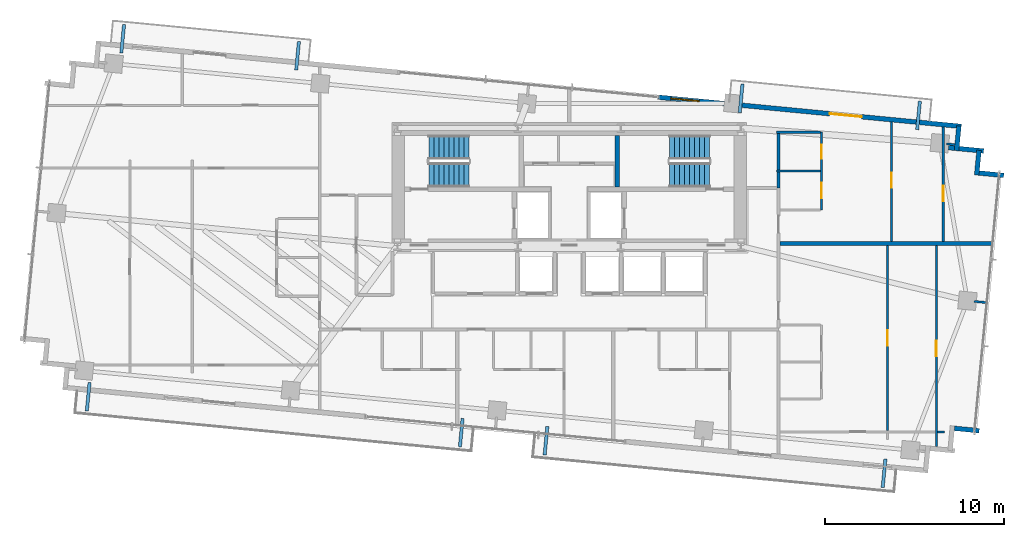
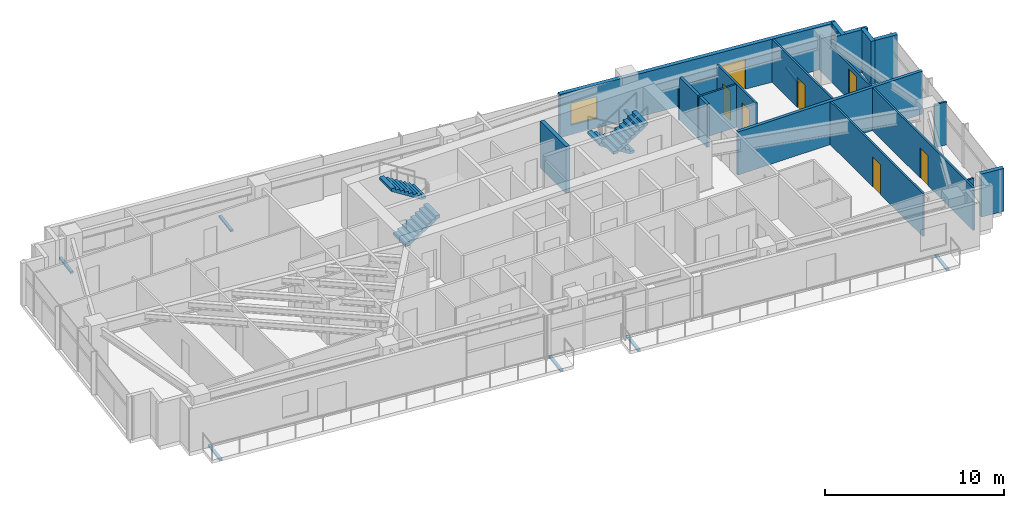
# One storey, part 17 of 19: 20 walls, 8 discrete accessories, 7 doors, 4 stair flights, 1 window, 8 openings, 2 elements without a shape of their own.
"""IFC4 building model written with IfcOpenShell, lengths in metres."""

from ifc_helpers import new_model, si_unit, direction, frame, frame_2d, origin, origin_2d, place, context, subcontext, project, spatial, polyline, rectangle, outline, extrude, source, transform, mapped, material, layer, layer_set, type_object, type_shapes, element, fill, aggregate, save


model = new_model("IFC4")

# Units and contexts
model_context = context("Model", 3, precision=1e-05, world=origin(), true_north=direction((0.0, 1.0)))
body_context = subcontext(model_context, "Body", "Model", "MODEL_VIEW")
ifc_project = project(units=[si_unit("LENGTHUNIT", "METRE"), si_unit("AREAUNIT", "SQUARE_METRE"), si_unit("VOLUMEUNIT", "CUBIC_METRE"), si_unit("PLANEANGLEUNIT", "RADIAN"), si_unit("MASSUNIT", "GRAM", prefix="KILO")], contexts=[model_context])

# Site, building, storey
site_placement = place(None, origin())
site = spatial("IfcSite", under=ifc_project, at=site_placement, CompositionType="ELEMENT")
building_placement = place(site_placement, origin())
building = spatial("IfcBuilding", under=site, at=building_placement, Name="Astriad Promenade Condominiums", CompositionType="ELEMENT")
storey_placement = place(building_placement, frame((0.0, 0.0, 140.60009765625)))
storey = spatial("IfcBuildingStorey", under=building, at=storey_placement, Name="L40", CompositionType="ELEMENT", Elevation=140.60009765625)

# Walls
ifc_material_1 = material(Name="Concrete C50/60", Category="concrete")
ifc_layer_1 = layer(ifc_material_1, 0.25)
ifc_layer_set_1 = layer_set([ifc_layer_1], Name="Concrete C50/60")
wall_type_1 = type_object("IfcWallType", Name="WALL-CORE-INT-250", PredefinedType="SOLIDWALL", material=ifc_layer_set_1)
wall_1_placement = place(storey_placement, frame((38.675048828125, 20.701904296875, 0.0), z_axis=(0.0, 0.0, 1.0), x_axis=(0.0, 1.0, 0.0)))
element("IfcWall", 1, at=wall_1_placement, inside=storey, type_object=wall_type_1, Name="CW-ST2-W-L40", PredefinedType="SOLIDWALL", context=body_context, shape_type="SweptSolid", body=[
    extrude(rectangle(XDim=2.89599609375, YDim=0.25, at=frame_2d((1.447998046875, 0.0))), origin(), (0.0, 0.0, 1.0), 3.199951171875),
])
ifc_material_2 = material(Name="Fire-Rated Gypsum Partition")
ifc_layer_2 = layer(ifc_material_2, 0.159912109375)
ifc_layer_set_2 = layer_set([ifc_layer_2], Name="Fire-Rated Gypsum Partition")
wall_type_2 = type_object("IfcWallType", Name="WALL-CORR-160", PredefinedType="PARTITIONING", material=ifc_layer_set_2)
wall_2_placement = place(storey_placement, frame((47.699951171875, 20.64990234375, 0.0), z_axis=(0.0, 0.0, 1.0), x_axis=(0.0, 1.0, 0.0)))
element("IfcWall", 2, at=wall_2_placement, inside=storey, type_object=wall_type_2, Name="PT-L40-E2-PBK", PredefinedType="PARTITIONING", context=body_context, shape_type="SweptSolid", body=[
    extrude(rectangle(XDim=0.883056640625, YDim=0.159912109375, at=frame_2d((0.44140625, 0.0))), origin(), (0.0, 0.0, 1.0), 2.93994140625),
])
wall_3_placement = place(storey_placement, frame((47.699951171875, 21.656982421875, 0.0), z_axis=(0.0, 0.0, 1.0), x_axis=(0.0, 1.0, 0.0)))
element("IfcWall", 3, at=wall_3_placement, inside=storey, type_object=wall_type_2, Name="PT-L40-E2-PBK-S2", PredefinedType="PARTITIONING", context=body_context, shape_type="SweptSolid", body=[
    extrude(rectangle(XDim=2.051025390625, YDim=0.159912109375, at=frame_2d((1.025390625, 0.0))), origin(), (0.0, 0.0, 1.0), 2.93994140625),
])
ifc_material_3 = material(Name="Acoustic Double-Stud Gypsum Partition")
ifc_layer_3 = layer(ifc_material_3, 0.199951171875)
ifc_layer_set_3 = layer_set([ifc_layer_3], Name="Acoustic Double-Stud Gypsum Partition")
wall_type_3 = type_object("IfcWallType", Name="WALL-DEMISING-200", PredefinedType="PARTITIONING", material=ifc_layer_set_3)
wall_4_placement = place(storey_placement, frame((47.781982421875, 17.550048828125, 0.0), z_axis=(0.0, 0.0, 1.0), x_axis=(1.0, 0.0, 0.0)))
element("IfcWall", 4, at=wall_4_placement, inside=storey, type_object=wall_type_3, Name="PT-DEM-EE-L40", PredefinedType="PARTITIONING", context=body_context, shape_type="SweptSolid", body=[
    extrude(rectangle(XDim=11.933837890625, YDim=0.199951171875, at=frame_2d((5.966796875, 0.0))), origin(), (0.0, 0.0, 1.0), 2.93994140625),
])

# Wall, openings, door, window
ifc_material_4 = material(Name="Precast concrete C50/60", Category="concrete")
ifc_layer_4 = layer(ifc_material_4, 0.260009765625)
ifc_layer_set_4 = layer_set([ifc_layer_4], Name="Precast concrete C50/60")
wall_type_4 = type_object("IfcWallType", Name="WALL-EXT-TWR-260", PredefinedType="STANDARD", material=ifc_layer_set_4)
wall_5_placement = place(storey_placement, frame((40.9833984375, 25.726806640625, 0.0), z_axis=(0.0, 0.0, 1.0), x_axis=(0.995395844771, -0.095849424686, 0.0)))
wall_5 = element("IfcWall", 5, at=wall_5_placement, inside=storey, type_object=wall_type_4, Name="W-EXT-L40-N2", PredefinedType="STANDARD", context=body_context, shape_type="SweptSolid", body=[
    extrude(rectangle(XDim=17.009765625, YDim=0.260009765625, at=frame_2d((8.5048828125, 0.0))), origin(), (0.0, 0.0, 1.0), 2.93994140625),
])
opening_1_placement = place(wall_5_placement, frame((9.6201171875, 0.0, 0.0)))
opening_1 = element("IfcOpeningElement", 6, at=opening_1_placement, cuts=wall_5, Name="Opening BD-1822-SLD", PredefinedType="OPENING", context=body_context, shape_type="SweptSolid", body=[
    extrude(rectangle(XDim=1.800048828125, YDim=2.06005859375, at=frame_2d((0.89990234375, 1.030029296875))), frame((0.0, 0.139892578125, 0.0), z_axis=(0.0, -1.0, 0.0), x_axis=(1.0, 0.0, 0.0)), (0.0, 0.0, 1.0), 0.280029296875),
])
opening_2_placement = place(wall_5_placement, frame((0.699951171875, 0.0, 0.64990234375)))
opening_2 = element("IfcOpeningElement", 7, at=opening_2_placement, cuts=wall_5, Name="Opening WIN-TWR-1620", PredefinedType="OPENING", context=body_context, shape_type="SweptSolid", body=[
    extrude(rectangle(XDim=1.60009765625, YDim=1.5, at=frame_2d((0.800048828125, 0.75))), frame((0.0, 0.139892578125, 0.0), z_axis=(0.0, -1.0, 0.0), x_axis=(1.0, 0.0, 0.0)), (0.0, 0.0, 1.0), 0.280029296875),
])
ifc_material_5 = material(Name="Thermally Broken Aluminium Sliding Balcony Door", Category="aluminium")
door_type_1 = type_object("IfcDoorType", Name="BD-1822-SLD", OperationType="NOTDEFINED", PredefinedType="DOOR", material=ifc_material_5)
shared_shape_1 = source(origin(), body_context, "Body", "SweptSolid", [
    extrude(rectangle(XDim=1.800048828125, YDim=2.06005859375, at=frame_2d((0.89990234375, 1.030029296875))), frame((0.0, 0.02490234375, 0.0), z_axis=(0.0, -1.0, 0.0), x_axis=(1.0, 0.0, 0.0)), (0.0, 0.0, 1.0), 0.050048828125),
])
type_shapes(door_type_1, [shared_shape_1])
door_1_placement = place(opening_1_placement, origin())
door_1 = element("IfcDoor", 8, at=door_1_placement, inside=storey, type_object=door_type_1, Name="BD-L40-NE", OperationType="SLIDING_TO_RIGHT", OverallHeight=2.06005859375, OverallWidth=1.800048828125, PredefinedType="DOOR", context=body_context, shape_type="MappedRepresentation", body=[
    mapped(shared_shape_1, transform((0.0, 0.0, 0.0), scale=1.0)),
])
fill(opening_1, door_1)
ifc_material_6 = material(Name="Dark Tinted Triple-Glazed Aluminium Window", Category="aluminium")
window_type = type_object("IfcWindowType", Name="WIN-TWR-1620", PartitioningType="SINGLE_PANEL", PredefinedType="WINDOW", material=ifc_material_6)
shared_shape_2 = source(origin(), body_context, "Body", "SweptSolid", [
    extrude(rectangle(XDim=1.60009765625, YDim=1.5, at=frame_2d((0.800048828125, 0.75))), frame((0.0, 0.030029296875, 0.0), z_axis=(0.0, -1.0, 0.0), x_axis=(1.0, 0.0, 0.0)), (0.0, 0.0, 1.0), 0.06005859375),
])
type_shapes(window_type, [shared_shape_2])
window_placement = place(opening_2_placement, origin())
window = element("IfcWindow", 9, at=window_placement, inside=storey, type_object=window_type, Name="WIN-L40-NE", OverallHeight=1.5, OverallWidth=1.60009765625, PartitioningType="SINGLE_PANEL", PredefinedType="WINDOW", context=body_context, shape_type="MappedRepresentation", body=[
    mapped(shared_shape_2, transform((0.0, 0.0, 0.0), scale=1.0)),
])
fill(opening_2, window)

# Walls
wall_6_placement = place(storey_placement, frame((57.787109375, 24.123779296875, 0.0), z_axis=(0.0, 0.0, 1.0), x_axis=(-0.095915846097, -0.995389446633, 0.0)))
element("IfcWall", 10, at=wall_6_placement, inside=storey, type_object=wall_type_4, Name="W-SER-L40-09", PredefinedType="STANDARD", context=body_context, shape_type="SweptSolid", body=[
    extrude(rectangle(XDim=1.394775390625, YDim=0.260009765625, at=frame_2d((0.697265625, 0.0))), origin(), (0.0, 0.0, 1.0), 2.93994140625),
])
wall_7_placement = place(storey_placement, frame((57.199951171875, 22.909423828125, 0.0), z_axis=(0.0, 0.0, 1.0), x_axis=(0.995401789159, -0.095787672171, 0.0)))
element("IfcWall", 11, at=wall_7_placement, inside=storey, type_object=wall_type_4, Name="W-SER-L40-10", PredefinedType="STANDARD", context=body_context, shape_type="SweptSolid", body=[
    extrude(rectangle(XDim=1.977783203125, YDim=0.260009765625, at=frame_2d((0.98876953125, 0.0))), origin(), (0.0, 0.0, 1.0), 2.93994140625),
])
for number, where, z_axis, x_axis, name in (
    (12, (58.91162109375, 22.759765625, 0.0), (0.0, 0.0, 1.0), (-0.096072523012, -0.995374336781, 0.0), "W-SER-L40-11"),
    (13, (58.904541015625, 21.489501953125, 0.0), (0.0, 0.0, 1.0), (0.995391056452, -0.09589913835, 0.0), "W-SER-L40-12"),
):
    element("IfcWall", number, at=place(storey_placement, frame(where, z_axis=z_axis, x_axis=x_axis)), inside=storey, type_object=wall_type_4, Name=name, PredefinedType="STANDARD", context=body_context, shape_type="SweptSolid", body=[
        extrude(rectangle(XDim=1.39501953125, YDim=0.260009765625, at=frame_2d((0.697509765625, 0.0))), origin(), (0.0, 0.0, 1.0), 2.93994140625),
    ])
wall_8_placement = place(storey_placement, frame((58.918701171875, 7.081787109375, 0.0), z_axis=(0.0, 0.0, 1.0), x_axis=(-0.995389446633, 0.095915846097, 0.0)))
element("IfcWall", 14, at=wall_8_placement, inside=storey, type_object=wall_type_4, Name="W-SER-L40-14", PredefinedType="STANDARD", context=body_context, shape_type="SweptSolid", body=[
    extrude(rectangle(XDim=1.394775390625, YDim=0.260009765625, at=frame_2d((0.697265625, 0.0))), origin(), (0.0, 0.0, 1.0), 2.93994140625),
])

# Wall, opening, door
ifc_material_7 = material(Name="Acoustic Metal-Stud Gypsum Partition")
ifc_layer_5 = layer(ifc_material_7, 0.1201171875)
ifc_layer_set_5 = layer_set([ifc_layer_5], Name="Acoustic Metal-Stud Gypsum Partition")
wall_type_5 = type_object("IfcWallType", Name="WALL-PART-120", PredefinedType="PARTITIONING", material=ifc_layer_set_5)
wall_9_placement = place(storey_placement, frame((56.52587890625, 6.189208984375, 0.0), z_axis=(0.0, 0.0, 1.0), x_axis=(0.0, 1.0, 0.0)))
wall_9 = element("IfcWall", 15, at=wall_9_placement, inside=storey, type_object=wall_type_5, Name="PT-L40-E1-B1", PredefinedType="PARTITIONING", context=body_context, shape_type="SweptSolid", body=[
    extrude(rectangle(XDim=11.2587890625, YDim=0.1201171875, at=frame_2d((5.62939453125, 0.0))), origin(), (0.0, 0.0, 1.0), 2.93994140625),
])
opening_3_placement = place(wall_9_placement, frame((5.06396484375, 0.0, 0.0)))
opening_3 = element("IfcOpeningElement", 16, at=opening_3_placement, cuts=wall_9, Name="Opening D-INT-085", PredefinedType="OPENING", context=body_context, shape_type="SweptSolid", body=[
    extrude(rectangle(XDim=0.85009765625, YDim=2.050048828125, at=frame_2d((0.425048828125, 1.02490234375))), frame((0.0, 0.070068359375, 0.0), z_axis=(0.0, -1.0, 0.0), x_axis=(1.0, 0.0, 0.0)), (0.0, 0.0, 1.0), 0.14013671875),
])
ifc_material_8 = material(Name="Painted Solid-Core Timber Room Door", Category="wood")
door_type_2 = type_object("IfcDoorType", Name="D-INT-085", OperationType="NOTDEFINED", PredefinedType="DOOR", material=ifc_material_8)
shared_shape_3 = source(origin(), body_context, "Body", "SweptSolid", [
    extrude(rectangle(XDim=0.85009765625, YDim=2.050048828125, at=frame_2d((0.425048828125, 1.02490234375))), frame((0.0, 0.02490234375, 0.0), z_axis=(0.0, -1.0, 0.0), x_axis=(1.0, 0.0, 0.0)), (0.0, 0.0, 1.0), 0.050048828125),
])
type_shapes(door_type_2, [shared_shape_3])
door_2_placement = place(opening_3_placement, origin())
door_2 = element("IfcDoor", 17, at=door_2_placement, inside=storey, type_object=door_type_2, Name="D-BD1-L40-E1", OperationType="SINGLE_SWING_RIGHT", OverallHeight=2.050048828125, OverallWidth=0.85009765625, PredefinedType="DOOR", context=body_context, shape_type="MappedRepresentation", body=[
    mapped(shared_shape_3, transform((0.0, 0.0, 0.0), scale=1.0)),
])
fill(opening_3, door_2)

# Wall
wall_10_placement = place(storey_placement, frame((56.587890625, 7.01904296875, 0.0), z_axis=(0.0, 0.0, 1.0), x_axis=(1.0, 0.0, 0.0)))
element("IfcWall", 18, at=wall_10_placement, inside=storey, type_object=wall_type_5, Name="PT-L40-E1-WDS1-S2", PredefinedType="PARTITIONING", context=body_context, shape_type="SweptSolid", body=[
    extrude(rectangle(XDim=0.378173828125, YDim=0.1201171875, at=frame_2d((0.18896484375, 0.0))), origin(), (0.0, 0.0, 1.0), 2.93994140625),
])

# Wall, opening, door
wall_11_placement = place(storey_placement, frame((53.7919921875, 7.0810546875, 0.0), z_axis=(0.0, 0.0, 1.0), x_axis=(0.0, 1.0, 0.0)))
wall_11 = element("IfcWall", 19, at=wall_11_placement, inside=storey, type_object=wall_type_5, Name="PT-L40-E1-WDV2-S2", PredefinedType="PARTITIONING", context=body_context, shape_type="SweptSolid", body=[
    extrude(rectangle(XDim=10.366943359375, YDim=0.1201171875, at=frame_2d((5.18359375, 0.0))), origin(), (0.0, 0.0, 1.0), 2.93994140625),
])
opening_4_placement = place(wall_11_placement, frame((4.758056640625, 0.0, 0.0)))
opening_4 = element("IfcOpeningElement", 20, at=opening_4_placement, cuts=wall_11, Name="Opening D-INT-085", PredefinedType="OPENING", context=body_context, shape_type="SweptSolid", body=[
    extrude(rectangle(XDim=0.85009765625, YDim=2.050048828125, at=frame_2d((0.425048828125, 1.02490234375))), frame((0.0, 0.070068359375, 0.0), z_axis=(0.0, -1.0, 0.0), x_axis=(1.0, 0.0, 0.0)), (0.0, 0.0, 1.0), 0.14013671875),
])
door_3_placement = place(opening_4_placement, origin())
door_3 = element("IfcDoor", 21, at=door_3_placement, inside=storey, type_object=door_type_2, Name="D-WDV2-L40-E1", OperationType="SINGLE_SWING_RIGHT", OverallHeight=2.050048828125, OverallWidth=0.85009765625, PredefinedType="DOOR", context=body_context, shape_type="MappedRepresentation", body=[
    mapped(shared_shape_3, transform((0.0, 0.0, 0.0), scale=1.0)),
])
fill(opening_4, door_3)

# Wall, openings, doors
wall_12_placement = place(storey_placement, frame((50.10009765625, 19.419921875, 0.0), z_axis=(0.0, 0.0, 1.0), x_axis=(0.0, 1.0, 0.0)))
wall_12 = element("IfcWall", 22, at=wall_12_placement, inside=storey, type_object=wall_type_5, Name="PT-L40-E2-PV", PredefinedType="PARTITIONING", context=body_context, shape_type="SweptSolid", body=[
    extrude(rectangle(XDim=4.35009765625, YDim=0.1201171875, at=frame_2d((2.175048828125, 0.0))), origin(), (0.0, 0.0, 1.0), 2.93994140625),
])
opening_5_placement = place(wall_12_placement, frame((0.6630859375, 0.0, 0.0)))
opening_5 = element("IfcOpeningElement", 23, at=opening_5_placement, cuts=wall_12, Name="Opening D-INT-085", PredefinedType="OPENING", context=body_context, shape_type="SweptSolid", body=[
    extrude(rectangle(XDim=0.85009765625, YDim=2.050048828125, at=frame_2d((0.425048828125, 1.02490234375))), frame((0.0, 0.070068359375, 0.0), z_axis=(0.0, -1.0, 0.0), x_axis=(1.0, 0.0, 0.0)), (0.0, 0.0, 1.0), 0.14013671875),
])
opening_6_placement = place(wall_12_placement, frame((2.862060546875, 0.0, 0.0)))
opening_6 = element("IfcOpeningElement", 24, at=opening_6_placement, cuts=wall_12, Name="Opening D-WET-080", PredefinedType="OPENING", context=body_context, shape_type="SweptSolid", body=[
    extrude(rectangle(XDim=0.800048828125, YDim=2.02001953125, at=frame_2d((0.39990234375, 1.010009765625))), frame((0.0, 0.070068359375, 0.0), z_axis=(0.0, -1.0, 0.0), x_axis=(1.0, 0.0, 0.0)), (0.0, 0.0, 1.0), 0.14013671875),
])
ifc_material_9 = material(Name="Moisture-Resistant Timber Bathroom Door", Category="wood")
door_type_3 = type_object("IfcDoorType", Name="D-WET-080", OperationType="NOTDEFINED", PredefinedType="DOOR", material=ifc_material_9)
shared_shape_4 = source(origin(), body_context, "Body", "SweptSolid", [
    extrude(rectangle(XDim=0.800048828125, YDim=2.02001953125, at=frame_2d((0.39990234375, 1.010009765625))), frame((0.0, 0.02490234375, 0.0), z_axis=(0.0, -1.0, 0.0), x_axis=(1.0, 0.0, 0.0)), (0.0, 0.0, 1.0), 0.050048828125),
])
type_shapes(door_type_3, [shared_shape_4])
door_4_placement = place(opening_6_placement, origin())
door_4 = element("IfcDoor", 25, at=door_4_placement, inside=storey, type_object=door_type_3, Name="D-BTH-L40-E2", OperationType="SINGLE_SWING_LEFT", OverallHeight=2.02001953125, OverallWidth=0.800048828125, PredefinedType="DOOR", context=body_context, shape_type="MappedRepresentation", body=[
    mapped(shared_shape_4, transform((0.0, 0.0, 0.0), scale=1.0)),
])
fill(opening_6, door_4)
door_5_placement = place(opening_5_placement, origin())
door_5 = element("IfcDoor", 26, at=door_5_placement, inside=storey, type_object=door_type_2, Name="D-KIT-L40-E2", OperationType="SINGLE_SWING_RIGHT", OverallHeight=2.050048828125, OverallWidth=0.85009765625, PredefinedType="DOOR", context=body_context, shape_type="MappedRepresentation", body=[
    mapped(shared_shape_3, transform((0.0, 0.0, 0.0), scale=1.0)),
])
fill(opening_5, door_5)

# Walls
wall_13_placement = place(storey_placement, frame((47.580078125, 21.594970703125, 0.0), z_axis=(0.0, 0.0, 1.0), x_axis=(1.0, 0.0, 0.0)))
element("IfcWall", 27, at=wall_13_placement, inside=storey, type_object=wall_type_5, Name="PT-L40-E2-PM", PredefinedType="PARTITIONING", context=body_context, shape_type="SweptSolid", body=[
    extrude(rectangle(XDim=2.4580078125, YDim=0.1201171875, at=frame_2d((1.22900390625, 0.0))), origin(), (0.0, 0.0, 1.0), 2.93994140625),
])
wall_14_placement = place(storey_placement, frame((47.580078125, 23.77001953125, 0.0), z_axis=(0.0, 0.0, 1.0), x_axis=(1.0, 0.0, 0.0)))
element("IfcWall", 28, at=wall_14_placement, inside=storey, type_object=wall_type_5, Name="PT-L40-E2-PN", PredefinedType="PARTITIONING", context=body_context, shape_type="SweptSolid", body=[
    extrude(rectangle(XDim=2.4580078125, YDim=0.1201171875, at=frame_2d((1.22900390625, 0.0))), origin(), (0.0, 0.0, 1.0), 2.215576171875),
])

# Wall, opening, door
wall_15_placement = place(storey_placement, frame((56.910888671875, 17.652099609375, 0.0), z_axis=(0.0, 0.0, 1.0), x_axis=(0.0, 1.0, 0.0)))
wall_15 = element("IfcWall", 29, at=wall_15_placement, inside=storey, type_object=wall_type_5, Name="PT-L40-E2-B1", PredefinedType="PARTITIONING", context=body_context, shape_type="SweptSolid", body=[
    extrude(rectangle(XDim=6.408447265625, YDim=0.1201171875, at=frame_2d((3.2041015625, 0.0))), origin(), (0.0, 0.0, 1.0), 2.38232421875),
])
opening_7_placement = place(wall_15_placement, frame((2.26611328125, 0.0, 0.0)))
opening_7 = element("IfcOpeningElement", 30, at=opening_7_placement, cuts=wall_15, Name="Opening D-INT-085", PredefinedType="OPENING", context=body_context, shape_type="SweptSolid", body=[
    extrude(rectangle(XDim=0.85009765625, YDim=2.050048828125, at=frame_2d((0.425048828125, 1.02490234375))), frame((0.0, 0.070068359375, 0.0), z_axis=(0.0, -1.0, 0.0), x_axis=(1.0, 0.0, 0.0)), (0.0, 0.0, 1.0), 0.14013671875),
])
door_6_placement = place(opening_7_placement, origin())
door_6 = element("IfcDoor", 31, at=door_6_placement, inside=storey, type_object=door_type_2, Name="D-BD1-L40-E2", OperationType="SINGLE_SWING_RIGHT", OverallHeight=2.050048828125, OverallWidth=0.85009765625, PredefinedType="DOOR", context=body_context, shape_type="MappedRepresentation", body=[
    mapped(shared_shape_3, transform((0.0, 0.0, 0.0), scale=1.0)),
])
fill(opening_7, door_6)

wall_16_placement = place(storey_placement, frame((54.01611328125, 17.652099609375, 0.0), z_axis=(0.0, 0.0, 1.0), x_axis=(0.0, 1.0, 0.0)))
wall_16 = element("IfcWall", 32, at=wall_16_placement, inside=storey, type_object=wall_type_5, Name="PT-L40-E2-WDV1", PredefinedType="PARTITIONING", context=body_context, shape_type="SweptSolid", body=[
    extrude(rectangle(XDim=6.68701171875, YDim=0.1201171875, at=frame_2d((3.343505859375, 0.0))), origin(), (0.0, 0.0, 1.0), 2.93994140625),
])
opening_8_placement = place(wall_16_placement, frame((3.01611328125, 0.0, 0.0)))
opening_8 = element("IfcOpeningElement", 33, at=opening_8_placement, cuts=wall_16, Name="Opening D-INT-085", PredefinedType="OPENING", context=body_context, shape_type="SweptSolid", body=[
    extrude(rectangle(XDim=0.85009765625, YDim=2.050048828125, at=frame_2d((0.425048828125, 1.02490234375))), frame((0.0, 0.070068359375, 0.0), z_axis=(0.0, -1.0, 0.0), x_axis=(1.0, 0.0, 0.0)), (0.0, 0.0, 1.0), 0.14013671875),
])
door_7_placement = place(opening_8_placement, origin())
door_7 = element("IfcDoor", 34, at=door_7_placement, inside=storey, type_object=door_type_2, Name="D-WDV1-L40-E2", OperationType="SINGLE_SWING_LEFT", OverallHeight=2.050048828125, OverallWidth=0.85009765625, PredefinedType="DOOR", context=body_context, shape_type="MappedRepresentation", body=[
    mapped(shared_shape_3, transform((0.0, 0.0, 0.0), scale=1.0)),
])
fill(opening_8, door_7)

# Walls
wall_17_placement = place(storey_placement, frame((57.09765625, 23.120361328125, 0.0), z_axis=(0.0, 0.0, 1.0), x_axis=(0.995384576284, -0.09596637586, 0.0)))
element("IfcWall", 35, at=wall_17_placement, inside=storey, type_object=wall_type_5, Name="PT-PIL-L40-PC10-17", PredefinedType="PARTITIONING", context=body_context, shape_type="SweptSolid", body=[
    extrude(rectangle(XDim=0.4580078125, YDim=0.1201171875, at=frame_2d((0.22900390625, 0.0))), origin(), (0.0, 0.0, 1.0), 2.93994140625),
])
wall_18_placement = place(storey_placement, frame((58.640380859375, 14.31201171875, 0.0), z_axis=(0.0, 0.0, 1.0), x_axis=(0.995377786728, -0.096036772582, 0.0)))
element("IfcWall", 36, at=wall_18_placement, inside=storey, type_object=wall_type_5, Name="PT-PIL-L40-PC12-19", PredefinedType="PARTITIONING", context=body_context, shape_type="SweptSolid", body=[
    extrude(rectangle(XDim=0.760009765625, YDim=0.1201171875, at=frame_2d((0.3798828125, 0.0))), origin(), (0.0, 0.0, 1.0), 2.93994140625),
])

# Stair, stair flights
stair_type = type_object("IfcStairType", Name="STR-CORE-1350", PredefinedType="HALF_TURN_STAIR", material=ifc_material_1)
stair_1_placement = place(storey_placement, origin())
stair_1 = element("IfcStair", 37, at=stair_1_placement, inside=storey, type_object=stair_type, Name="L40 Enclosed Core Exit Stair ST-1", PredefinedType="HALF_TURN_STAIR")
stair_flight_type = type_object("IfcStairFlightType", Name="SFL-CORE-1350", PredefinedType="STRAIGHT", material=ifc_material_1)
shared_shape_5 = source(origin(), body_context, "Body", "SweptSolid", [
    extrude(outline(polyline([(0.0, 0.0), (0.0, 0.177734375), (0.280029296875, 0.177734375), (0.280029296875, 0.35546875), (0.56005859375, 0.35546875), (0.56005859375, 0.533447265625), (0.840087890625, 0.533447265625), (0.840087890625, 0.711181640625), (1.1201171875, 0.711181640625), (1.1201171875, 0.888916015625), (1.39990234375, 0.888916015625), (1.39990234375, 1.066650390625), (1.679931640625, 1.066650390625), (1.679931640625, 1.244384765625), (1.9599609375, 1.244384765625), (1.9599609375, 1.422119140625), (2.239990234375, 1.422119140625), (2.239990234375, 1.60009765625), (2.239990234375, 1.24462890625), (0.27978515625, 0.0), (0.0, 0.0)])), frame((0.0, 0.675048828125, 0.0), z_axis=(0.0, -1.0, 0.0), x_axis=(1.0, 0.0, 0.0)), (0.0, 0.0, 1.0), 1.35009765625),
])
type_shapes(stair_flight_type, [shared_shape_5])
stair_flight_1_placement = place(storey_placement, frame((28.14990234375, 21.375, 0.0), z_axis=(0.0, 0.0, 1.0), x_axis=(1.0, 0.0, 0.0)))
stair_flight_1 = element("IfcStairFlight", 38, at=stair_flight_1_placement, type_object=stair_flight_type, Name="ST-1 flight 1", NumberOfRisers=9, NumberOfTreads=8, PredefinedType="STRAIGHT", RiserHeight=0.177777778, TreadLength=0.28, context=body_context, shape_type="MappedRepresentation", body=[
    mapped(shared_shape_5, transform((0.0, 0.0, 0.0), scale=1.0)),
])
stair_flight_2_placement = place(storey_placement, frame((30.389892578125, 22.925048828125, 1.599853515625), z_axis=(0.0, 0.0, 1.0), x_axis=(-1.0, 0.0, 0.0)))
stair_flight_2 = element("IfcStairFlight", 39, at=stair_flight_2_placement, type_object=stair_flight_type, Name="ST-1 flight 2", NumberOfRisers=9, NumberOfTreads=8, PredefinedType="STRAIGHT", RiserHeight=0.177777778, TreadLength=0.28, context=body_context, shape_type="MappedRepresentation", body=[
    mapped(shared_shape_5, transform((0.0, 0.0, 0.0), scale=1.0)),
])
aggregate(stair_1, [stair_flight_1, stair_flight_2])

stair_2_placement = place(storey_placement, origin())
stair_2 = element("IfcStair", 40, at=stair_2_placement, inside=storey, type_object=stair_type, Name="L40 Enclosed Core Exit Stair ST-2", PredefinedType="HALF_TURN_STAIR")
stair_flight_3_placement = place(storey_placement, frame((43.85009765625, 22.925048828125, 0.0), z_axis=(0.0, 0.0, 1.0), x_axis=(-1.0, 0.0, 0.0)))
stair_flight_3 = element("IfcStairFlight", 41, at=stair_flight_3_placement, type_object=stair_flight_type, Name="ST-2 flight 1", NumberOfRisers=9, NumberOfTreads=8, PredefinedType="STRAIGHT", RiserHeight=0.177777778, TreadLength=0.28, context=body_context, shape_type="MappedRepresentation", body=[
    mapped(shared_shape_5, transform((0.0, 0.0, 0.0), scale=1.0)),
])
stair_flight_4_placement = place(storey_placement, frame((41.610107421875, 21.375, 1.599853515625), z_axis=(0.0, 0.0, 1.0), x_axis=(1.0, 0.0, 0.0)))
stair_flight_4 = element("IfcStairFlight", 42, at=stair_flight_4_placement, type_object=stair_flight_type, Name="ST-2 flight 2", NumberOfRisers=9, NumberOfTreads=8, PredefinedType="STRAIGHT", RiserHeight=0.177777778, TreadLength=0.28, context=body_context, shape_type="MappedRepresentation", body=[
    mapped(shared_shape_5, transform((0.0, 0.0, 0.0), scale=1.0)),
])
aggregate(stair_2, [stair_flight_3, stair_flight_4])

# Discrete accessories
ifc_material_10 = material(Name="Steel ASTM A572 Grade 50", Category="steel")
discrete_accessory_type = type_object("IfcDiscreteAccessoryType", Name="STEEL BALCONY OUTRIGGER BRACKET", PredefinedType="BRACKET", material=ifc_material_10)
shared_shape_6 = source(origin(), body_context, "Body", "SweptSolid", [
    extrude(rectangle(XDim=1.60009765625, YDim=0.179931640625, at=origin_2d()), origin(), (0.0, 0.0, 1.0), 0.1220703125),
])
type_shapes(discrete_accessory_type, [shared_shape_6])
for number, where, z_axis, x_axis, name in (
    (43, (9.10791015625, 8.98486328125, -0.340087890625), (0.0, 0.0, 1.0), (-0.09584575252, -0.995396198367, 0.0), "Balcony Outrigger Bracket BAL-L40-SW-A"),
    (44, (29.96337890625, 6.9765625, -0.340087890625), (0.0, 0.0, 1.0), (-0.09584575252, -0.995396198367, 0.0), "Balcony Outrigger Bracket BAL-L40-SW-B"),
    (45, (34.700439453125, 6.5205078125, -0.340087890625), (0.0, 0.0, 1.0), (-0.09584575252, -0.995396198367, 0.0), "Balcony Outrigger Bracket BAL-L40-SE-A"),
    (46, (53.60009765625, 4.70068359375, -0.340087890625), (0.0, 0.0, 1.0), (-0.09584575252, -0.995396198367, 0.0), "Balcony Outrigger Bracket BAL-L40-SE-B"),
    (47, (11.034423828125, 28.9921875, -0.340087890625), (0.0, 0.0, 1.0), (0.09584575252, 0.995396198367, 0.0), "Balcony Outrigger Bracket BAL-L40-NW-A"),
    (48, (20.81298828125, 28.05078125, -0.340087890625), (0.0, 0.0, 1.0), (0.09584575252, 0.995396198367, 0.0), "Balcony Outrigger Bracket BAL-L40-NW-B"),
    (49, (45.6083984375, 25.6630859375, -0.340087890625), (0.0, 0.0, 1.0), (0.09584575252, 0.995396198367, 0.0), "Balcony Outrigger Bracket BAL-L40-NE-A"),
    (50, (55.526611328125, 24.708251953125, -0.340087890625), (0.0, 0.0, 1.0), (0.09584575252, 0.995396198367, 0.0), "Balcony Outrigger Bracket BAL-L40-NE-B"),
):
    element("IfcDiscreteAccessory", number, at=place(storey_placement, frame(where, z_axis=z_axis, x_axis=x_axis)), inside=storey, type_object=discrete_accessory_type, Name=name, PredefinedType="BRACKET", context=body_context, shape_type="MappedRepresentation", body=[
        mapped(shared_shape_6, transform((0.0, 0.0, 0.0), scale=1.0)),
    ])

save(model, "model.ifc")
